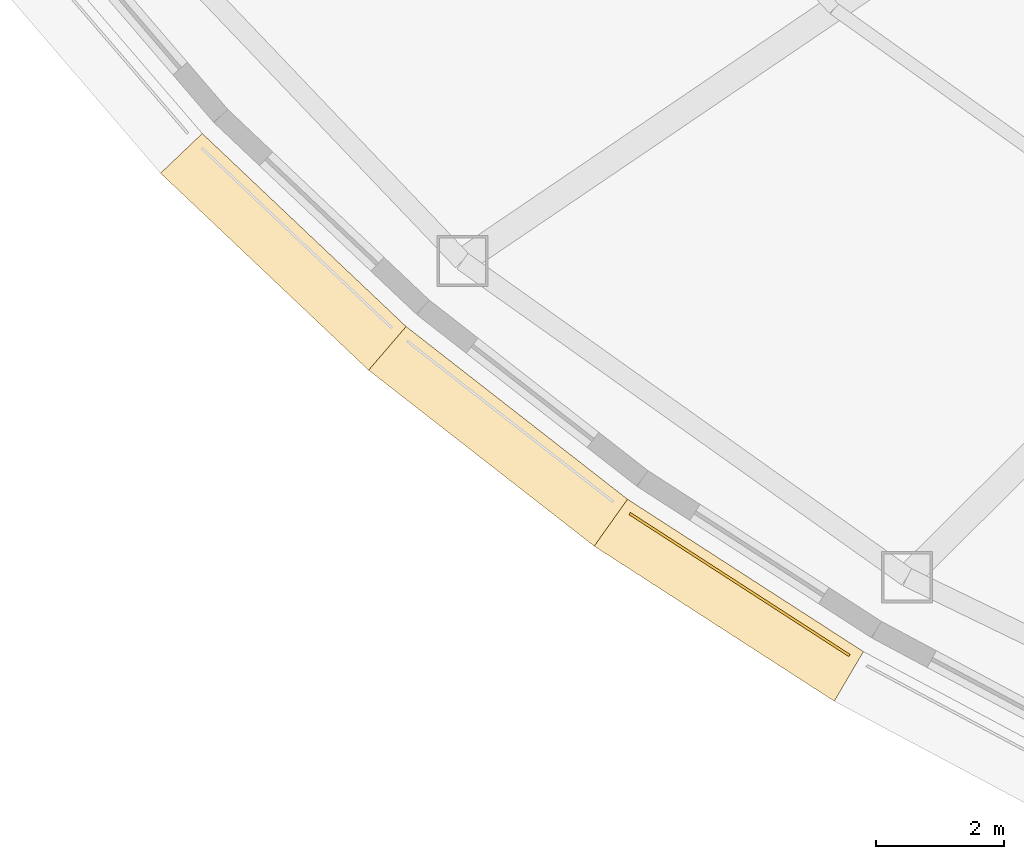
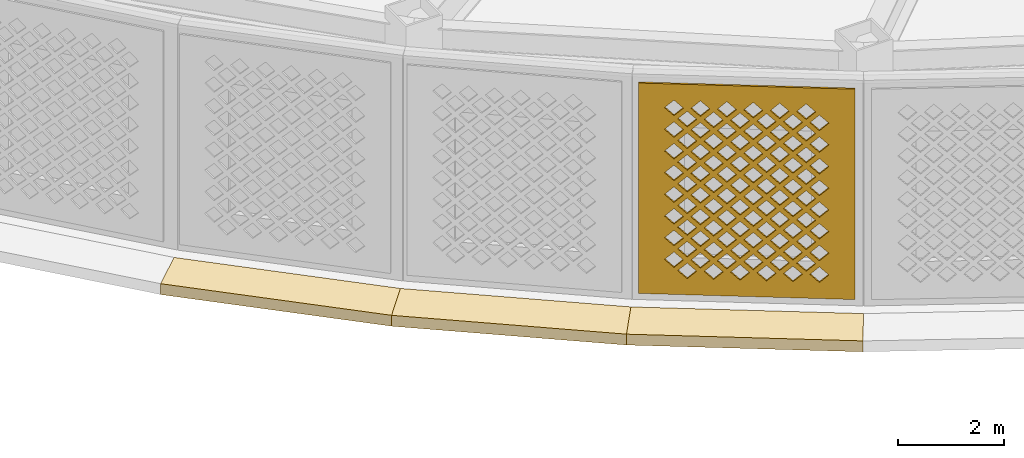
# One storey, part 35 of 63: 4 coverings.
"""IFC4 building model written with IfcOpenShell, lengths in metres."""

from ifc_helpers import new_model, si_unit, direction, frame, origin, place, context, subcontext, project, spatial, polyline, outline, extrude, material, layer, layer_set, type_object, element, save


model = new_model("IFC4")

# Units and contexts
model_context = context("Model", 3, precision=1e-05, world=origin(), true_north=direction((0.0, 1.0)))
body_context = subcontext(model_context, "Body", "Model", "MODEL_VIEW")
ifc_project = project(units=[si_unit("LENGTHUNIT", "METRE"), si_unit("AREAUNIT", "SQUARE_METRE"), si_unit("VOLUMEUNIT", "CUBIC_METRE"), si_unit("PLANEANGLEUNIT", "RADIAN"), si_unit("MASSUNIT", "GRAM", prefix="KILO")], contexts=[model_context])

# Site, building, storey
site_placement = place(None, origin())
site = spatial("IfcSite", under=ifc_project, at=site_placement, CompositionType="ELEMENT")
building_placement = place(site_placement, origin())
building = spatial("IfcBuilding", under=site, at=building_placement, Name="Noorbagh Ring Tower", CompositionType="ELEMENT")
storey_placement = place(building_placement, frame((0.0, 0.0, 25.0)))
storey = spatial("IfcBuildingStorey", under=building, at=storey_placement, Name="L04", CompositionType="ELEMENT", Elevation=25.0)

# Coverings
ifc_material_1 = material(Name="Red sandstone eave", Category="masonry")
covering_type_1 = type_object("IfcCoveringType", Name="STY-CHHAJJA", PredefinedType="USERDEFINED", material=ifc_material_1)
covering_1_placement = place(storey_placement, frame((0.0, 0.0, -0.25)))
element("IfcCovering", 1, at=covering_1_placement, inside=storey, type_object=covering_type_1, Name="Chhajja eave", ObjectType="CHHAJJA", PredefinedType="USERDEFINED", context=body_context, shape_type="SweptSolid", body=[
    extrude(outline(polyline([(-41.906494140625, -23.682373046875), (-38.71435546875, -26.70458984375), (-39.3017578125, -27.3876953125), (-42.55908203125, -24.3037109375), (-41.906494140625, -23.682373046875)])), origin(), (0.0, 0.0, 1.0), 0.25),
])
covering_2_placement = place(storey_placement, frame((0.0, 0.0, -0.25)))
element("IfcCovering", 2, at=covering_2_placement, inside=storey, type_object=covering_type_1, Name="Chhajja eave", ObjectType="CHHAJJA", PredefinedType="USERDEFINED", context=body_context, shape_type="SweptSolid", body=[
    extrude(outline(polyline([(-38.71435546875, -26.70458984375), (-35.247802734375, -29.408203125), (-35.769775390625, -30.142578125), (-39.3017578125, -27.3876953125), (-38.71435546875, -26.70458984375)])), origin(), (0.0, 0.0, 1.0), 0.25),
])
covering_3_placement = place(storey_placement, frame((0.0, 0.0, -0.25)))
element("IfcCovering", 3, at=covering_3_placement, inside=storey, type_object=covering_type_1, Name="Chhajja eave", ObjectType="CHHAJJA", PredefinedType="USERDEFINED", context=body_context, shape_type="SweptSolid", body=[
    extrude(outline(polyline([(-35.247802734375, -29.408203125), (-31.5546875, -31.793701171875), (-32.011474609375, -32.56982421875), (-35.769775390625, -30.142578125), (-35.247802734375, -29.408203125)])), origin(), (0.0, 0.0, 1.0), 0.25),
])
ifc_material_2 = material(Name="Red sandstone jali", Category="masonry")
ifc_layer = layer(ifc_material_2, 0.0400390625)
ifc_layer_set = layer_set([ifc_layer], Name="Red sandstone jali")
covering_type_2 = type_object("IfcCoveringType", Name="STY-JALI", PredefinedType="USERDEFINED", material=ifc_layer_set)
covering_4_placement = place(storey_placement, frame((-35.224853515625, -29.6494140625, 0.449951171875), z_axis=(-0.542524555296, -0.840039943634, 0.0), x_axis=(0.840039943634, -0.542524555296, 0.0)))
element("IfcCovering", 4, at=covering_4_placement, inside=storey, type_object=covering_type_2, Name="Jali screen", ObjectType="SCREEN", PredefinedType="USERDEFINED", context=body_context, shape_type="SweptSolid", body=[
    extrude(outline(polyline([(0.0, 0.0), (4.096435546875, 0.0), (4.096435546875, 4.85009765625), (0.0, 4.85009765625), (0.0, 0.0)]), holes=[polyline([(0.7431640625, 0.550048828125), (0.923095703125, 0.3701171875), (1.103271484375, 0.550048828125), (0.923095703125, 0.72998046875), (0.7431640625, 0.550048828125)]), polyline([(1.2431640625, 0.550048828125), (1.423095703125, 0.3701171875), (1.603271484375, 0.550048828125), (1.423095703125, 0.72998046875), (1.2431640625, 0.550048828125)]), polyline([(1.7431640625, 0.550048828125), (1.923095703125, 0.3701171875), (2.103271484375, 0.550048828125), (1.923095703125, 0.72998046875), (1.7431640625, 0.550048828125)]), polyline([(2.2431640625, 0.550048828125), (2.423095703125, 0.3701171875), (2.603271484375, 0.550048828125), (2.423095703125, 0.72998046875), (2.2431640625, 0.550048828125)]), polyline([(2.7431640625, 0.550048828125), (2.923095703125, 0.3701171875), (3.103271484375, 0.550048828125), (2.923095703125, 0.72998046875), (2.7431640625, 0.550048828125)]), polyline([(3.2431640625, 0.550048828125), (3.423095703125, 0.3701171875), (3.603271484375, 0.550048828125), (3.423095703125, 0.72998046875), (3.2431640625, 0.550048828125)]), polyline([(0.4931640625, 0.800048828125), (0.673095703125, 0.6201171875), (0.853271484375, 0.800048828125), (0.673095703125, 0.97998046875), (0.4931640625, 0.800048828125)]), polyline([(0.9931640625, 0.800048828125), (1.173095703125, 0.6201171875), (1.353271484375, 0.800048828125), (1.173095703125, 0.97998046875), (0.9931640625, 0.800048828125)]), polyline([(1.4931640625, 0.800048828125), (1.673095703125, 0.6201171875), (1.853271484375, 0.800048828125), (1.673095703125, 0.97998046875), (1.4931640625, 0.800048828125)]), polyline([(1.9931640625, 0.800048828125), (2.173095703125, 0.6201171875), (2.353271484375, 0.800048828125), (2.173095703125, 0.97998046875), (1.9931640625, 0.800048828125)]), polyline([(2.4931640625, 0.800048828125), (2.673095703125, 0.6201171875), (2.853271484375, 0.800048828125), (2.673095703125, 0.97998046875), (2.4931640625, 0.800048828125)]), polyline([(2.9931640625, 0.800048828125), (3.173095703125, 0.6201171875), (3.353271484375, 0.800048828125), (3.173095703125, 0.97998046875), (2.9931640625, 0.800048828125)]), polyline([(0.7431640625, 1.050048828125), (0.923095703125, 0.8701171875), (1.103271484375, 1.050048828125), (0.923095703125, 1.22998046875), (0.7431640625, 1.050048828125)]), polyline([(1.2431640625, 1.050048828125), (1.423095703125, 0.8701171875), (1.603271484375, 1.050048828125), (1.423095703125, 1.22998046875), (1.2431640625, 1.050048828125)]), polyline([(1.7431640625, 1.050048828125), (1.923095703125, 0.8701171875), (2.103271484375, 1.050048828125), (1.923095703125, 1.22998046875), (1.7431640625, 1.050048828125)]), polyline([(2.2431640625, 1.050048828125), (2.423095703125, 0.8701171875), (2.603271484375, 1.050048828125), (2.423095703125, 1.22998046875), (2.2431640625, 1.050048828125)]), polyline([(2.7431640625, 1.050048828125), (2.923095703125, 0.8701171875), (3.103271484375, 1.050048828125), (2.923095703125, 1.22998046875), (2.7431640625, 1.050048828125)]), polyline([(3.2431640625, 1.050048828125), (3.423095703125, 0.8701171875), (3.603271484375, 1.050048828125), (3.423095703125, 1.22998046875), (3.2431640625, 1.050048828125)]), polyline([(0.4931640625, 1.300048828125), (0.673095703125, 1.1201171875), (0.853271484375, 1.300048828125), (0.673095703125, 1.47998046875), (0.4931640625, 1.300048828125)]), polyline([(0.9931640625, 1.300048828125), (1.173095703125, 1.1201171875), (1.353271484375, 1.300048828125), (1.173095703125, 1.47998046875), (0.9931640625, 1.300048828125)]), polyline([(1.4931640625, 1.300048828125), (1.673095703125, 1.1201171875), (1.853271484375, 1.300048828125), (1.673095703125, 1.47998046875), (1.4931640625, 1.300048828125)]), polyline([(1.9931640625, 1.300048828125), (2.173095703125, 1.1201171875), (2.353271484375, 1.300048828125), (2.173095703125, 1.47998046875), (1.9931640625, 1.300048828125)]), polyline([(2.4931640625, 1.300048828125), (2.673095703125, 1.1201171875), (2.853271484375, 1.300048828125), (2.673095703125, 1.47998046875), (2.4931640625, 1.300048828125)]), polyline([(2.9931640625, 1.300048828125), (3.173095703125, 1.1201171875), (3.353271484375, 1.300048828125), (3.173095703125, 1.47998046875), (2.9931640625, 1.300048828125)]), polyline([(0.7431640625, 1.550048828125), (0.923095703125, 1.3701171875), (1.103271484375, 1.550048828125), (0.923095703125, 1.72998046875), (0.7431640625, 1.550048828125)]), polyline([(1.2431640625, 1.550048828125), (1.423095703125, 1.3701171875), (1.603271484375, 1.550048828125), (1.423095703125, 1.72998046875), (1.2431640625, 1.550048828125)]), polyline([(1.7431640625, 1.550048828125), (1.923095703125, 1.3701171875), (2.103271484375, 1.550048828125), (1.923095703125, 1.72998046875), (1.7431640625, 1.550048828125)]), polyline([(2.2431640625, 1.550048828125), (2.423095703125, 1.3701171875), (2.603271484375, 1.550048828125), (2.423095703125, 1.72998046875), (2.2431640625, 1.550048828125)]), polyline([(2.7431640625, 1.550048828125), (2.923095703125, 1.3701171875), (3.103271484375, 1.550048828125), (2.923095703125, 1.72998046875), (2.7431640625, 1.550048828125)]), polyline([(3.2431640625, 1.550048828125), (3.423095703125, 1.3701171875), (3.603271484375, 1.550048828125), (3.423095703125, 1.72998046875), (3.2431640625, 1.550048828125)]), polyline([(0.4931640625, 1.800048828125), (0.673095703125, 1.6201171875), (0.853271484375, 1.800048828125), (0.673095703125, 1.97998046875), (0.4931640625, 1.800048828125)]), polyline([(0.9931640625, 1.800048828125), (1.173095703125, 1.6201171875), (1.353271484375, 1.800048828125), (1.173095703125, 1.97998046875), (0.9931640625, 1.800048828125)]), polyline([(1.4931640625, 1.800048828125), (1.673095703125, 1.6201171875), (1.853271484375, 1.800048828125), (1.673095703125, 1.97998046875), (1.4931640625, 1.800048828125)]), polyline([(1.9931640625, 1.800048828125), (2.173095703125, 1.6201171875), (2.353271484375, 1.800048828125), (2.173095703125, 1.97998046875), (1.9931640625, 1.800048828125)]), polyline([(2.4931640625, 1.800048828125), (2.673095703125, 1.6201171875), (2.853271484375, 1.800048828125), (2.673095703125, 1.97998046875), (2.4931640625, 1.800048828125)]), polyline([(2.9931640625, 1.800048828125), (3.173095703125, 1.6201171875), (3.353271484375, 1.800048828125), (3.173095703125, 1.97998046875), (2.9931640625, 1.800048828125)]), polyline([(0.7431640625, 2.050048828125), (0.923095703125, 1.8701171875), (1.103271484375, 2.050048828125), (0.923095703125, 2.22998046875), (0.7431640625, 2.050048828125)]), polyline([(1.2431640625, 2.050048828125), (1.423095703125, 1.8701171875), (1.603271484375, 2.050048828125), (1.423095703125, 2.22998046875), (1.2431640625, 2.050048828125)]), polyline([(1.7431640625, 2.050048828125), (1.923095703125, 1.8701171875), (2.103271484375, 2.050048828125), (1.923095703125, 2.22998046875), (1.7431640625, 2.050048828125)]), polyline([(2.2431640625, 2.050048828125), (2.423095703125, 1.8701171875), (2.603271484375, 2.050048828125), (2.423095703125, 2.22998046875), (2.2431640625, 2.050048828125)]), polyline([(2.7431640625, 2.050048828125), (2.923095703125, 1.8701171875), (3.103271484375, 2.050048828125), (2.923095703125, 2.22998046875), (2.7431640625, 2.050048828125)]), polyline([(3.2431640625, 2.050048828125), (3.423095703125, 1.8701171875), (3.603271484375, 2.050048828125), (3.423095703125, 2.22998046875), (3.2431640625, 2.050048828125)]), polyline([(0.4931640625, 2.300048828125), (0.673095703125, 2.1201171875), (0.853271484375, 2.300048828125), (0.673095703125, 2.47998046875), (0.4931640625, 2.300048828125)]), polyline([(0.9931640625, 2.300048828125), (1.173095703125, 2.1201171875), (1.353271484375, 2.300048828125), (1.173095703125, 2.47998046875), (0.9931640625, 2.300048828125)]), polyline([(1.4931640625, 2.300048828125), (1.673095703125, 2.1201171875), (1.853271484375, 2.300048828125), (1.673095703125, 2.47998046875), (1.4931640625, 2.300048828125)]), polyline([(1.9931640625, 2.300048828125), (2.173095703125, 2.1201171875), (2.353271484375, 2.300048828125), (2.173095703125, 2.47998046875), (1.9931640625, 2.300048828125)]), polyline([(2.4931640625, 2.300048828125), (2.673095703125, 2.1201171875), (2.853271484375, 2.300048828125), (2.673095703125, 2.47998046875), (2.4931640625, 2.300048828125)]), polyline([(2.9931640625, 2.300048828125), (3.173095703125, 2.1201171875), (3.353271484375, 2.300048828125), (3.173095703125, 2.47998046875), (2.9931640625, 2.300048828125)]), polyline([(0.7431640625, 2.550048828125), (0.923095703125, 2.3701171875), (1.103271484375, 2.550048828125), (0.923095703125, 2.72998046875), (0.7431640625, 2.550048828125)]), polyline([(1.2431640625, 2.550048828125), (1.423095703125, 2.3701171875), (1.603271484375, 2.550048828125), (1.423095703125, 2.72998046875), (1.2431640625, 2.550048828125)]), polyline([(1.7431640625, 2.550048828125), (1.923095703125, 2.3701171875), (2.103271484375, 2.550048828125), (1.923095703125, 2.72998046875), (1.7431640625, 2.550048828125)]), polyline([(2.2431640625, 2.550048828125), (2.423095703125, 2.3701171875), (2.603271484375, 2.550048828125), (2.423095703125, 2.72998046875), (2.2431640625, 2.550048828125)]), polyline([(2.7431640625, 2.550048828125), (2.923095703125, 2.3701171875), (3.103271484375, 2.550048828125), (2.923095703125, 2.72998046875), (2.7431640625, 2.550048828125)]), polyline([(3.2431640625, 2.550048828125), (3.423095703125, 2.3701171875), (3.603271484375, 2.550048828125), (3.423095703125, 2.72998046875), (3.2431640625, 2.550048828125)]), polyline([(0.4931640625, 2.800048828125), (0.673095703125, 2.6201171875), (0.853271484375, 2.800048828125), (0.673095703125, 2.97998046875), (0.4931640625, 2.800048828125)]), polyline([(0.9931640625, 2.800048828125), (1.173095703125, 2.6201171875), (1.353271484375, 2.800048828125), (1.173095703125, 2.97998046875), (0.9931640625, 2.800048828125)]), polyline([(1.4931640625, 2.800048828125), (1.673095703125, 2.6201171875), (1.853271484375, 2.800048828125), (1.673095703125, 2.97998046875), (1.4931640625, 2.800048828125)]), polyline([(1.9931640625, 2.800048828125), (2.173095703125, 2.6201171875), (2.353271484375, 2.800048828125), (2.173095703125, 2.97998046875), (1.9931640625, 2.800048828125)]), polyline([(2.4931640625, 2.800048828125), (2.673095703125, 2.6201171875), (2.853271484375, 2.800048828125), (2.673095703125, 2.97998046875), (2.4931640625, 2.800048828125)]), polyline([(2.9931640625, 2.800048828125), (3.173095703125, 2.6201171875), (3.353271484375, 2.800048828125), (3.173095703125, 2.97998046875), (2.9931640625, 2.800048828125)]), polyline([(0.7431640625, 3.050048828125), (0.923095703125, 2.8701171875), (1.103271484375, 3.050048828125), (0.923095703125, 3.22998046875), (0.7431640625, 3.050048828125)]), polyline([(1.2431640625, 3.050048828125), (1.423095703125, 2.8701171875), (1.603271484375, 3.050048828125), (1.423095703125, 3.22998046875), (1.2431640625, 3.050048828125)]), polyline([(1.7431640625, 3.050048828125), (1.923095703125, 2.8701171875), (2.103271484375, 3.050048828125), (1.923095703125, 3.22998046875), (1.7431640625, 3.050048828125)]), polyline([(2.2431640625, 3.050048828125), (2.423095703125, 2.8701171875), (2.603271484375, 3.050048828125), (2.423095703125, 3.22998046875), (2.2431640625, 3.050048828125)]), polyline([(2.7431640625, 3.050048828125), (2.923095703125, 2.8701171875), (3.103271484375, 3.050048828125), (2.923095703125, 3.22998046875), (2.7431640625, 3.050048828125)]), polyline([(3.2431640625, 3.050048828125), (3.423095703125, 2.8701171875), (3.603271484375, 3.050048828125), (3.423095703125, 3.22998046875), (3.2431640625, 3.050048828125)]), polyline([(0.4931640625, 3.300048828125), (0.673095703125, 3.1201171875), (0.853271484375, 3.300048828125), (0.673095703125, 3.47998046875), (0.4931640625, 3.300048828125)]), polyline([(0.9931640625, 3.300048828125), (1.173095703125, 3.1201171875), (1.353271484375, 3.300048828125), (1.173095703125, 3.47998046875), (0.9931640625, 3.300048828125)]), polyline([(1.4931640625, 3.300048828125), (1.673095703125, 3.1201171875), (1.853271484375, 3.300048828125), (1.673095703125, 3.47998046875), (1.4931640625, 3.300048828125)]), polyline([(1.9931640625, 3.300048828125), (2.173095703125, 3.1201171875), (2.353271484375, 3.300048828125), (2.173095703125, 3.47998046875), (1.9931640625, 3.300048828125)]), polyline([(2.4931640625, 3.300048828125), (2.673095703125, 3.1201171875), (2.853271484375, 3.300048828125), (2.673095703125, 3.47998046875), (2.4931640625, 3.300048828125)]), polyline([(2.9931640625, 3.300048828125), (3.173095703125, 3.1201171875), (3.353271484375, 3.300048828125), (3.173095703125, 3.47998046875), (2.9931640625, 3.300048828125)]), polyline([(0.7431640625, 3.550048828125), (0.923095703125, 3.3701171875), (1.103271484375, 3.550048828125), (0.923095703125, 3.72998046875), (0.7431640625, 3.550048828125)]), polyline([(1.2431640625, 3.550048828125), (1.423095703125, 3.3701171875), (1.603271484375, 3.550048828125), (1.423095703125, 3.72998046875), (1.2431640625, 3.550048828125)]), polyline([(1.7431640625, 3.550048828125), (1.923095703125, 3.3701171875), (2.103271484375, 3.550048828125), (1.923095703125, 3.72998046875), (1.7431640625, 3.550048828125)]), polyline([(2.2431640625, 3.550048828125), (2.423095703125, 3.3701171875), (2.603271484375, 3.550048828125), (2.423095703125, 3.72998046875), (2.2431640625, 3.550048828125)]), polyline([(2.7431640625, 3.550048828125), (2.923095703125, 3.3701171875), (3.103271484375, 3.550048828125), (2.923095703125, 3.72998046875), (2.7431640625, 3.550048828125)]), polyline([(3.2431640625, 3.550048828125), (3.423095703125, 3.3701171875), (3.603271484375, 3.550048828125), (3.423095703125, 3.72998046875), (3.2431640625, 3.550048828125)]), polyline([(0.4931640625, 3.800048828125), (0.673095703125, 3.6201171875), (0.853271484375, 3.800048828125), (0.673095703125, 3.97998046875), (0.4931640625, 3.800048828125)]), polyline([(0.9931640625, 3.800048828125), (1.173095703125, 3.6201171875), (1.353271484375, 3.800048828125), (1.173095703125, 3.97998046875), (0.9931640625, 3.800048828125)]), polyline([(1.4931640625, 3.800048828125), (1.673095703125, 3.6201171875), (1.853271484375, 3.800048828125), (1.673095703125, 3.97998046875), (1.4931640625, 3.800048828125)]), polyline([(1.9931640625, 3.800048828125), (2.173095703125, 3.6201171875), (2.353271484375, 3.800048828125), (2.173095703125, 3.97998046875), (1.9931640625, 3.800048828125)]), polyline([(2.4931640625, 3.800048828125), (2.673095703125, 3.6201171875), (2.853271484375, 3.800048828125), (2.673095703125, 3.97998046875), (2.4931640625, 3.800048828125)]), polyline([(2.9931640625, 3.800048828125), (3.173095703125, 3.6201171875), (3.353271484375, 3.800048828125), (3.173095703125, 3.97998046875), (2.9931640625, 3.800048828125)]), polyline([(0.7431640625, 4.050048828125), (0.923095703125, 3.8701171875), (1.103271484375, 4.050048828125), (0.923095703125, 4.22998046875), (0.7431640625, 4.050048828125)]), polyline([(1.2431640625, 4.050048828125), (1.423095703125, 3.8701171875), (1.603271484375, 4.050048828125), (1.423095703125, 4.22998046875), (1.2431640625, 4.050048828125)]), polyline([(1.7431640625, 4.050048828125), (1.923095703125, 3.8701171875), (2.103271484375, 4.050048828125), (1.923095703125, 4.22998046875), (1.7431640625, 4.050048828125)]), polyline([(2.2431640625, 4.050048828125), (2.423095703125, 3.8701171875), (2.603271484375, 4.050048828125), (2.423095703125, 4.22998046875), (2.2431640625, 4.050048828125)]), polyline([(2.7431640625, 4.050048828125), (2.923095703125, 3.8701171875), (3.103271484375, 4.050048828125), (2.923095703125, 4.22998046875), (2.7431640625, 4.050048828125)]), polyline([(3.2431640625, 4.050048828125), (3.423095703125, 3.8701171875), (3.603271484375, 4.050048828125), (3.423095703125, 4.22998046875), (3.2431640625, 4.050048828125)]), polyline([(0.4931640625, 4.300048828125), (0.673095703125, 4.1201171875), (0.853271484375, 4.300048828125), (0.673095703125, 4.47998046875), (0.4931640625, 4.300048828125)]), polyline([(0.9931640625, 4.300048828125), (1.173095703125, 4.1201171875), (1.353271484375, 4.300048828125), (1.173095703125, 4.47998046875), (0.9931640625, 4.300048828125)]), polyline([(1.4931640625, 4.300048828125), (1.673095703125, 4.1201171875), (1.853271484375, 4.300048828125), (1.673095703125, 4.47998046875), (1.4931640625, 4.300048828125)]), polyline([(1.9931640625, 4.300048828125), (2.173095703125, 4.1201171875), (2.353271484375, 4.300048828125), (2.173095703125, 4.47998046875), (1.9931640625, 4.300048828125)]), polyline([(2.4931640625, 4.300048828125), (2.673095703125, 4.1201171875), (2.853271484375, 4.300048828125), (2.673095703125, 4.47998046875), (2.4931640625, 4.300048828125)]), polyline([(2.9931640625, 4.300048828125), (3.173095703125, 4.1201171875), (3.353271484375, 4.300048828125), (3.173095703125, 4.47998046875), (2.9931640625, 4.300048828125)])]), origin(), (0.0, 0.0, -1.0), 0.0400390625),
])

save(model, "model.ifc")
